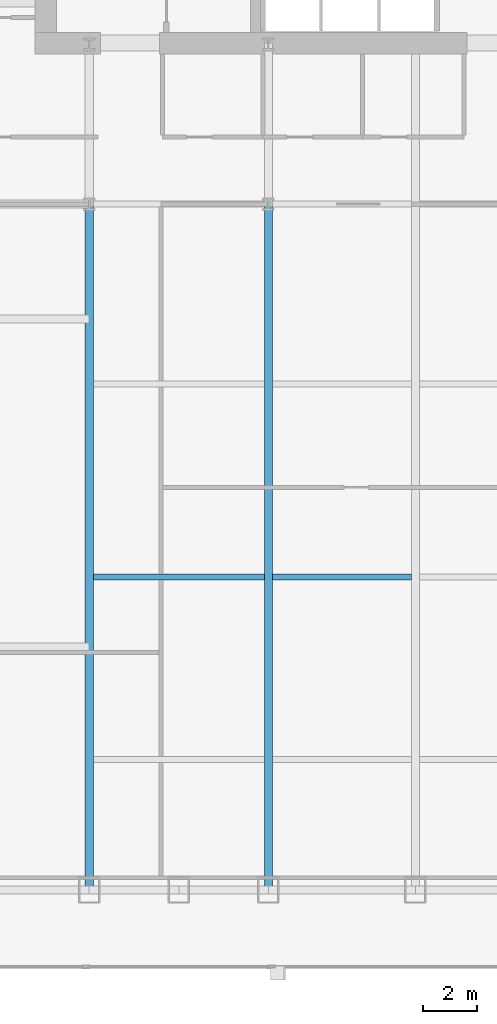
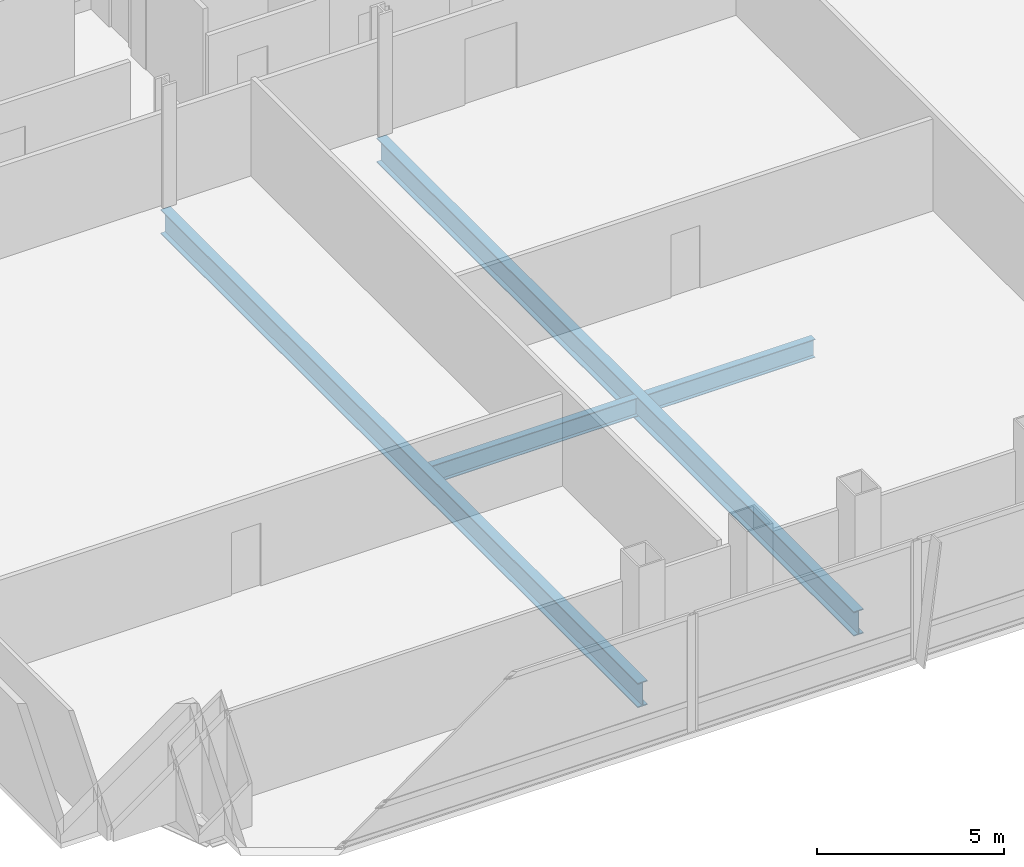
# One storey, part 9 of 32: 4 beams.
"""IFC4 building model written with IfcOpenShell, lengths in metres."""

import ifcopenshell
import ifcopenshell.guid

model = None  # the IFC model being written
_history = None  # IfcOwnerHistory: only IFC2X3 demands one
_inside = {}  # id of a spatial element -> (the spatial element, [elements in it])
_under = {}  # id of a project, library or spatial element -> (it, [spatial elements below it])
_declared = {}  # id of a project -> (the project, [libraries it declares])
_typed = {}  # id of a type object -> (the type object, [elements of that type])
_made_of = {}  # id of a material, layer set ... -> (it, [elements and type objects made of it])


def new_model(schema):
    """Start an empty IFC model of exactly this schema.

    Asked for "IFC4X3", IfcOpenShell would pick the latest addendum, in which some entities
    have other attributes; the version numbers below select the first issue.
    IFC2X3 requires an IfcOwnerHistory on every rooted entity: one is made here for all.
    """
    global model, _history
    if schema == "IFC4X3":
        model = ifcopenshell.file(schema_version=(4, 3, 0, 0))
    else:
        model = ifcopenshell.file(schema=schema)
    _inside.clear()
    _under.clear()
    _declared.clear()
    _typed.clear()
    _made_of.clear()
    _history = None
    if model.schema == "IFC2X3":
        org = make("IfcOrganization", Name="unknown")
        user = make(
            "IfcPersonAndOrganization",
            ThePerson=make("IfcPerson", FamilyName="unknown"),
            TheOrganization=org,
        )
        app = make(
            "IfcApplication",
            ApplicationDeveloper=org,
            Version="unknown",
            ApplicationFullName="unknown",
            ApplicationIdentifier="unknown",
        )
        _history = make(
            "IfcOwnerHistory",
            OwningUser=user,
            OwningApplication=app,
            ChangeAction="ADDED",
            CreationDate=0,
        )
    return model


def make(cls, **values):
    """One entity of the class cls with the attributes given. An attribute that is None is left unset."""
    return model.create_entity(
        cls, **{name: value for name, value in values.items() if value is not None}
    )


def rooted(cls, **values):
    """An entity with a GlobalId (a new one), such as an element, a storey or a relation."""
    return make(cls, GlobalId=ifcopenshell.guid.new(), OwnerHistory=_history, **values)


def si_unit(unit_type, name, prefix=None):
    """IfcSIUnit, for example si_unit("LENGTHUNIT", "METRE", prefix="MILLI")."""
    return make("IfcSIUnit", UnitType=unit_type, Prefix=prefix, Name=name)


def assignment(units):
    """IfcUnitAssignment: the units of a project."""
    return None if units is None else make("IfcUnitAssignment", Units=units)


def point(xyz):
    """IfcCartesianPoint."""
    return None if xyz is None else make("IfcCartesianPoint", Coordinates=xyz)


def direction(xyz):
    """IfcDirection."""
    return None if xyz is None else make("IfcDirection", DirectionRatios=xyz)


def frame(location, z_axis=None, x_axis=None):
    """IfcAxis2Placement3D, a coordinate frame: its origin and axes. An axis left out is left unset."""
    return make(
        "IfcAxis2Placement3D",
        Location=point(location),
        Axis=direction(z_axis),
        RefDirection=direction(x_axis),
    )


def frame_2d(location, x_axis=None):
    """IfcAxis2Placement2D, a coordinate frame in the plane: its origin and x axis."""
    return make(
        "IfcAxis2Placement2D", Location=point(location), RefDirection=direction(x_axis)
    )


def origin():
    """The frame at (0, 0, 0) with its axes left unset."""
    return frame((0.0, 0.0, 0.0))


def origin_2d():
    """The frame at (0, 0) in the plane with its x axis left unset."""
    return frame_2d((0.0, 0.0))


def place(relative_to, where):
    """IfcLocalPlacement: puts the frame where relative to a parent placement (None: the world)."""
    return make(
        "IfcLocalPlacement", PlacementRelTo=relative_to, RelativePlacement=where
    )


def context(
    kind, dimensions, precision=None, world=None, true_north=None, identifier=None
):
    """IfcGeometricRepresentationContext, for example the 3D "Model" context."""
    return make(
        "IfcGeometricRepresentationContext",
        ContextIdentifier=identifier,
        ContextType=kind,
        CoordinateSpaceDimension=dimensions,
        Precision=precision,
        WorldCoordinateSystem=world,
        TrueNorth=true_north,
    )


def subcontext(parent, identifier, kind, view, scale=None):
    """IfcGeometricRepresentationSubContext, for example "Body" below "Model"."""
    return make(
        "IfcGeometricRepresentationSubContext",
        ContextIdentifier=identifier,
        ContextType=kind,
        ParentContext=parent,
        TargetScale=scale,
        TargetView=view,
    )


def project(units=None, contexts=None):
    """IfcProject with its units and contexts."""
    return rooted(
        "IfcProject",
        Name="project",
        RepresentationContexts=contexts,
        UnitsInContext=assignment(units),
    )


def spatial(cls, under=None, at=None, **own):
    """A site, building, storey or space (cls), placed at a placement, below another one or the project."""
    s = rooted(cls, ObjectPlacement=at, **own)
    if under is not None:
        _under.setdefault(under.id(), (under, []))[1].append(s)
    return s


def profile(cls, at=None, kind="AREA", **sizes):
    """A parametric profile (cls). Its sizes go by their IFC names, for example OverallWidth=200.0."""
    return make(cls, ProfileType=kind, Position=at, **sizes)


def i_section(**sizes):
    """IfcIShapeProfileDef."""
    return profile("IfcIShapeProfileDef", **sizes)


def extrude(swept, where, along, depth):
    """IfcExtrudedAreaSolid: the profile swept, set in the frame where, extruded along a direction by depth."""
    return make(
        "IfcExtrudedAreaSolid",
        SweptArea=swept,
        Position=where,
        ExtrudedDirection=direction(along),
        Depth=depth,
    )


def shape(context_of_items, identifier, shape_type, items):
    """IfcShapeRepresentation: the items that make up one representation, for example the "Body"."""
    return make(
        "IfcShapeRepresentation",
        ContextOfItems=context_of_items,
        RepresentationIdentifier=identifier,
        RepresentationType=shape_type,
        Items=items,
    )


def material(Name=None, Category=None):
    """IfcMaterial."""
    return make("IfcMaterial", Name=Name, Category=Category)


def material_profile(
    of_material, cross_section, Name=None, Category=None, Priority=None
):
    """IfcMaterialProfile: a cross section and its material."""
    return make(
        "IfcMaterialProfile",
        Name=Name,
        Material=of_material,
        Profile=cross_section,
        Priority=Priority,
        Category=Category,
    )


def profile_set(profiles, Name=None, composite=None):
    """IfcMaterialProfileSet."""
    return make(
        "IfcMaterialProfileSet",
        Name=Name,
        MaterialProfiles=profiles,
        CompositeProfile=composite,
    )


def made_of(thing, what):
    """Note that an element or type object is made of a material, layer set ...; save() writes the relation."""
    if what is not None:
        _made_of.setdefault(what.id(), (what, []))[1].append(thing)
    return thing


def type_object(cls, material=None, **own):
    """A type object (cls), such as IfcWallType, which elements share."""
    return made_of(rooted(cls, **own), material)


def element(
    cls,
    number,
    at=None,
    inside=None,
    cuts=None,
    type_object=None,
    material=None,
    context=None,
    identifier="Body",
    shape_type=None,
    held_by="IfcProductDefinitionShape",
    body=None,
    shapes=None,
    **own,
):
    """One element of the class cls, such as IfcWall. Its Tag is "e" and its number.

    at: its placement. inside: the storey or other place that contains it. cuts: it is an
    opening in that element (IfcRelVoidsElement). A single representation is given by context,
    identifier, shape_type and body (its items); several are given by shapes. held_by: the class
    of the entity that holds the representations. save() writes the other relations.
    """
    e = rooted(cls, Tag="e%d" % number, ObjectPlacement=at, **own)
    if body is not None:
        shapes = [shape(context, identifier, shape_type, body)]
    if shapes is not None:
        e.Representation = make(held_by, Representations=shapes)
    if inside is not None:
        _inside.setdefault(inside.id(), (inside, []))[1].append(e)
    if cuts is not None:
        rooted(
            "IfcRelVoidsElement", RelatingBuildingElement=cuts, RelatedOpeningElement=e
        )
    if type_object is not None:
        _typed.setdefault(type_object.id(), (type_object, []))[1].append(e)
    return made_of(e, material)


def aggregate(whole, parts):
    """IfcRelAggregates: a whole, such as a stair, and the parts it consists of."""
    return rooted("IfcRelAggregates", RelatingObject=whole, RelatedObjects=parts)


def save(model, path):
    """Write the relations noted so far, then the file.

    IfcRelAggregates (storeys below a building ...), IfcRelContainedInSpatialStructure (elements
    in a storey), IfcRelDefinesByType, IfcRelAssociatesMaterial and IfcRelDeclares: one each for
    every whole, place, type object, material and project.
    """
    for whole, parts in _under.values():
        aggregate(whole, parts)
    for where, things in _inside.values():
        rooted(
            "IfcRelContainedInSpatialStructure",
            RelatedElements=things,
            RelatingStructure=where,
        )
    for kind, things in _typed.values():
        rooted("IfcRelDefinesByType", RelatedObjects=things, RelatingType=kind)
    for what, things in _made_of.values():
        rooted("IfcRelAssociatesMaterial", RelatedObjects=things, RelatingMaterial=what)
    for by, libraries in _declared.values():
        rooted("IfcRelDeclares", RelatingContext=by, RelatedDefinitions=libraries)
    model.write(path)


model = new_model("IFC4")

# Units and contexts
model_context = context("Model", 3, precision=1e-05, world=origin(), true_north=direction((0.0, 1.0)))
body_context = subcontext(model_context, "Body", "Model", "MODEL_VIEW")
ifc_project = project(units=[si_unit("LENGTHUNIT", "METRE"), si_unit("AREAUNIT", "SQUARE_METRE"), si_unit("VOLUMEUNIT", "CUBIC_METRE"), si_unit("PLANEANGLEUNIT", "RADIAN"), si_unit("MASSUNIT", "GRAM", prefix="KILO")], contexts=[model_context])

# Site, building, storey
site_placement = place(None, origin())
site = spatial("IfcSite", under=ifc_project, at=site_placement, CompositionType="ELEMENT")
building_placement = place(site_placement, origin())
building = spatial("IfcBuilding", under=site, at=building_placement, Name="Khoronbel Lancet Exchange", CompositionType="ELEMENT")
storey_placement = place(building_placement, frame((0.0, 0.0, 41.800048828125)))
storey = spatial("IfcBuildingStorey", under=building, at=storey_placement, Name="L09", CompositionType="ELEMENT", Elevation=41.800048828125)

# Beams
ifc_material = material(Name="Steel S355", Category="steel")
ifc_material_profile_1 = material_profile(ifc_material, i_section(OverallWidth=0.300048828125, OverallDepth=0.800048828125, WebThickness=0.017578125, FlangeThickness=0.032958984375, at=origin_2d()), Name="HEB 800")
ifc_profile_set_1 = profile_set([ifc_material_profile_1], Name="Steel S355")
beam_type_1 = type_object("IfcBeamType", Name="BM-BG2", PredefinedType="BEAM", material=ifc_profile_set_1)
for number, where, z_axis, x_axis, name in (
    (1, (18.22509765625, 10.14990234375, -0.580078125), (0.0, 1.0, 0.0), (-1.0, 0.0, 0.0), "Level L09 south primary girder GS1"),
    (2, (24.89990234375, 10.14990234375, -0.580078125), (0.0, 1.0, 0.0), (-1.0, 0.0, 0.0), "Level L09 south primary girder GS2"),
):
    element("IfcBeam", number, at=place(storey_placement, frame(where, z_axis=z_axis, x_axis=x_axis)), inside=storey, type_object=beam_type_1, Name=name, PredefinedType="BEAM", context=body_context, shape_type="SweptSolid", body=[
        extrude(i_section(OverallWidth=0.300048828125, OverallDepth=0.800048828125, WebThickness=0.017578125, FlangeThickness=0.032958984375, at=origin_2d()), origin(), (0.0, 0.0, 1.0), 25.550048828125),
    ])
ifc_material_profile_2 = material_profile(ifc_material, i_section(OverallWidth=0.219970703125, OverallDepth=0.60009765625, WebThickness=0.011962890625, FlangeThickness=0.01904296875, at=origin_2d()), Name="IPE 600")
ifc_profile_set_2 = profile_set([ifc_material_profile_2], Name="Steel S355")
beam_type_2 = type_object("IfcBeamType", Name="BM-BJ1", PredefinedType="JOIST", material=ifc_profile_set_2)
beam_1_placement = place(storey_placement, frame((18.375, 21.800048828125, -0.47998046875), z_axis=(1.0, 0.0, 0.0), x_axis=(0.0, 1.0, 0.0)))
element("IfcBeam", 3, at=beam_1_placement, inside=storey, type_object=beam_type_2, Name="Level L09 secondary composite joist J06", PredefinedType="JOIST", context=body_context, shape_type="SweptSolid", body=[
    extrude(i_section(OverallWidth=0.219970703125, OverallDepth=0.60009765625, WebThickness=0.011962890625, FlangeThickness=0.01904296875, at=origin_2d()), origin(), (0.0, 0.0, 1.0), 6.375),
])
beam_2_placement = place(storey_placement, frame((25.050048828125, 21.800048828125, -0.47998046875), z_axis=(1.0, 0.0, 0.0), x_axis=(0.0, 1.0, 0.0)))
element("IfcBeam", 4, at=beam_2_placement, inside=storey, type_object=beam_type_2, Name="Level L09 secondary composite joist J07", PredefinedType="JOIST", context=body_context, shape_type="SweptSolid", body=[
    extrude(i_section(OverallWidth=0.219970703125, OverallDepth=0.60009765625, WebThickness=0.011962890625, FlangeThickness=0.01904296875, at=origin_2d()), origin(), (0.0, 0.0, 1.0), 5.175048828125),
])

save(model, "model.ifc")
